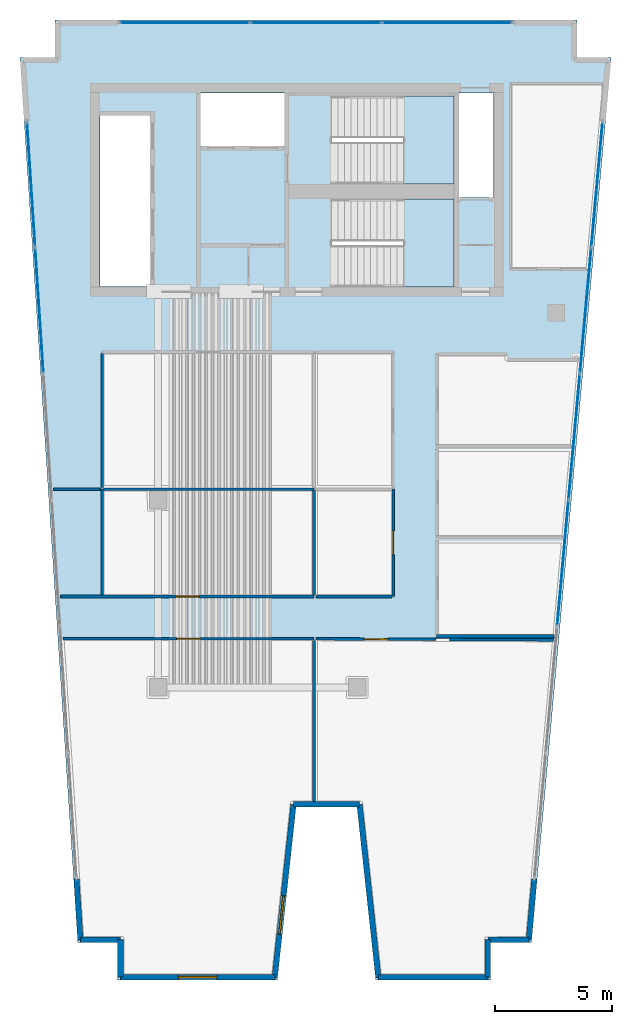
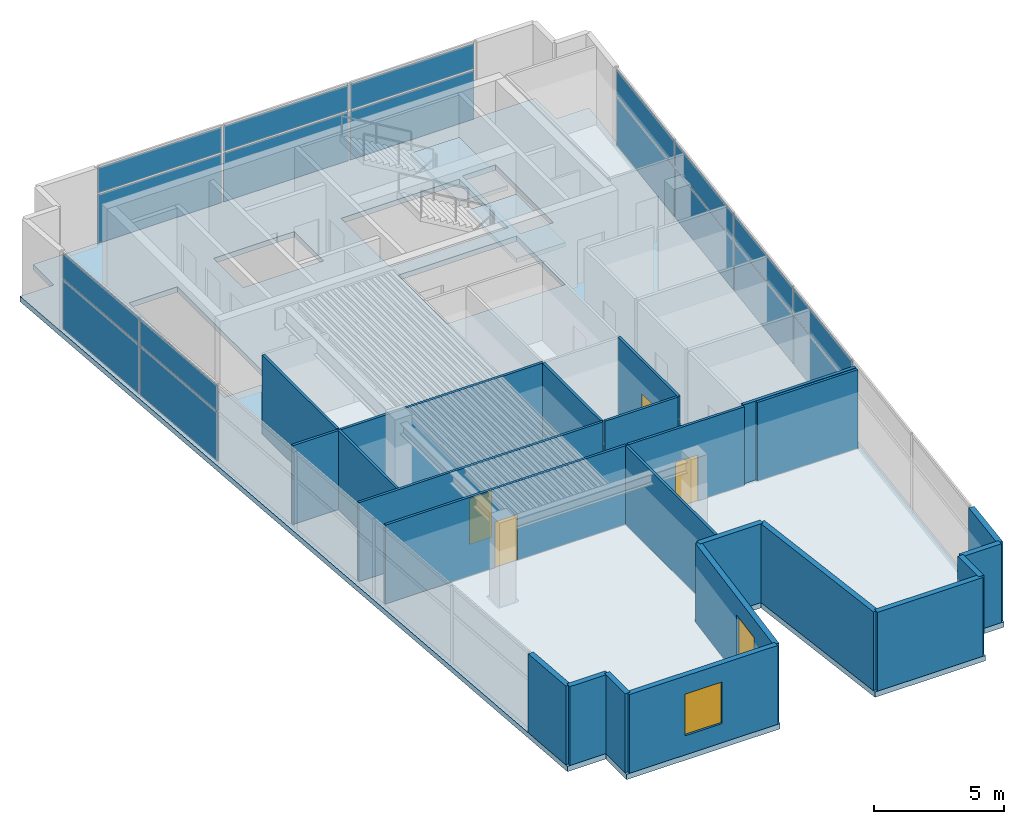
# One storey, part 3 of 7: 24 walls, 18 plates, 4 doors, 3 slabs, 2 windows, 6 openings, 5 elements without a shape of their own.
"""IFC4 building model written with IfcOpenShell, lengths in metres."""

from ifc_helpers import new_model, si_unit, direction, frame, frame_2d, origin, origin_2d, place, context, subcontext, project, spatial, polyline, rectangle, outline, extrude, material, layer, layer_set, type_object, element, fill, aggregate, save


model = new_model("IFC4")

# Units and contexts
model_context = context("Model", 3, precision=1e-05, world=origin(), true_north=direction((0.0, 1.0)))
body_context = subcontext(model_context, "Body", "Model", "MODEL_VIEW")
ifc_project = project(units=[si_unit("LENGTHUNIT", "METRE"), si_unit("AREAUNIT", "SQUARE_METRE"), si_unit("VOLUMEUNIT", "CUBIC_METRE"), si_unit("PLANEANGLEUNIT", "RADIAN"), si_unit("MASSUNIT", "GRAM", prefix="KILO")], contexts=[model_context])

# Site, building, storey
site_placement = place(None, origin())
site = spatial("IfcSite", under=ifc_project, at=site_placement, CompositionType="ELEMENT")
building_placement = place(site_placement, origin())
building = spatial("IfcBuilding", under=site, at=building_placement, Name="Caeloran Harvest Quay", CompositionType="ELEMENT")
storey_placement = place(building_placement, frame((0.0, 0.0, 315.949951171875)))
storey = spatial("IfcBuildingStorey", under=building, at=storey_placement, Name="L76", CompositionType="ELEMENT", Elevation=315.949951171875)

# Curtain wall, plates
ifc_material_1 = material(Name="Aluminium 6063-T6 and Low-E Glazing", Category="aluminium")
ifc_layer_1 = layer(ifc_material_1, 0.239990234375, Name="Aluminium 6063-T6 and Low-E Glazing")
ifc_layer_set_1 = layer_set([ifc_layer_1], Name="Aluminium 6063-T6 and Low-E Glazing")
curtain_wall_type = type_object("IfcCurtainWallType", Name="CW-SYS-CW-7", PredefinedType="USERDEFINED", material=ifc_layer_set_1)
curtain_wall_1_placement = place(storey_placement, origin())
curtain_wall_1 = element("IfcCurtainWall", 1, at=curtain_wall_1_placement, inside=storey, type_object=curtain_wall_type, Name="L76 Unitised Curtain Wall CW-7 Run 3", ObjectType="CURTAIN_WALL", PredefinedType="USERDEFINED")
ifc_material_2 = material(Name="Low-E Double Glazed Vision Glass Unit", Category="glass")
ifc_layer_2 = layer(ifc_material_2, 0.035888671875, Name="Low-E Double Glazed Vision Glass Unit")
ifc_layer_set_2 = layer_set([ifc_layer_2], Name="Low-E Double Glazed Vision Glass Unit")
plate_type = type_object("IfcPlateType", Name="CW-VISION-PANEL", PredefinedType="CURTAIN_PANEL", material=ifc_layer_set_2)
plate_1_placement = place(storey_placement, frame((3.430419921875, 31.0927734375, 0.080078125), z_axis=(0.0, 0.0, 1.0), x_axis=(-0.065166552901, 0.997874401106, 0.0)))
plate_1 = element("IfcPlate", 2, at=plate_1_placement, type_object=plate_type, Name="CW-7 panel 5.1", PredefinedType="CURTAIN_PANEL", context=body_context, shape_type="SweptSolid", body=[
    extrude(rectangle(XDim=5.32666015625, YDim=0.035888671875, at=origin_2d()), origin(), (0.0, 0.0, 1.0), 2.280029296875),
])
plate_2_placement = place(storey_placement, frame((3.430419921875, 31.0927734375, 2.43994140625), z_axis=(0.0, 0.0, 1.0), x_axis=(-0.065166552901, 0.997874401106, 0.0)))
plate_2 = element("IfcPlate", 3, at=plate_2_placement, type_object=plate_type, Name="CW-7 panel 5.2", PredefinedType="CURTAIN_PANEL", context=body_context, shape_type="SweptSolid", body=[
    extrude(rectangle(XDim=5.32666015625, YDim=0.035888671875, at=origin_2d()), origin(), (0.0, 0.0, 1.0), 1.179931640625),
])
plate_3_placement = place(storey_placement, frame((3.07958984375, 36.468017578125, 0.080078125), z_axis=(0.0, 0.0, 1.0), x_axis=(-0.065166552901, 0.997874401106, 0.0)))
plate_3 = element("IfcPlate", 4, at=plate_3_placement, type_object=plate_type, Name="CW-7 panel 6.1", PredefinedType="CURTAIN_PANEL", context=body_context, shape_type="SweptSolid", body=[
    extrude(rectangle(XDim=5.28662109375, YDim=0.035888671875, at=origin_2d()), origin(), (0.0, 0.0, 1.0), 2.280029296875),
])
plate_4_placement = place(storey_placement, frame((3.07958984375, 36.468017578125, 2.43994140625), z_axis=(0.0, 0.0, 1.0), x_axis=(-0.065166552901, 0.997874401106, 0.0)))
plate_4 = element("IfcPlate", 5, at=plate_4_placement, type_object=plate_type, Name="CW-7 panel 6.2", PredefinedType="CURTAIN_PANEL", context=body_context, shape_type="SweptSolid", body=[
    extrude(rectangle(XDim=5.28662109375, YDim=0.035888671875, at=origin_2d()), origin(), (0.0, 0.0, 1.0), 1.179931640625),
])
aggregate(curtain_wall_1, [plate_1, plate_2, plate_3, plate_4])

curtain_wall_2_placement = place(storey_placement, origin())
curtain_wall_2 = element("IfcCurtainWall", 6, at=curtain_wall_2_placement, inside=storey, type_object=curtain_wall_type, Name="L76 Unitised Curtain Wall CW-7 Run 6", ObjectType="CURTAIN_WALL", PredefinedType="USERDEFINED")
plate_5_placement = place(storey_placement, frame((9.64990234375, 43.3798828125, 0.080078125), z_axis=(0.0, 0.0, 1.0), x_axis=(1.0, 0.0, 0.0)))
plate_5 = element("IfcPlate", 7, at=plate_5_placement, type_object=plate_type, Name="CW-7 panel 1.1", PredefinedType="CURTAIN_PANEL", context=body_context, shape_type="SweptSolid", body=[
    extrude(rectangle(XDim=5.5, YDim=0.035888671875, at=origin_2d()), origin(), (0.0, 0.0, 1.0), 2.280029296875),
])
plate_6_placement = place(storey_placement, frame((9.64990234375, 43.3798828125, 2.43994140625), z_axis=(0.0, 0.0, 1.0), x_axis=(1.0, 0.0, 0.0)))
plate_6 = element("IfcPlate", 8, at=plate_6_placement, type_object=plate_type, Name="CW-7 panel 1.2", PredefinedType="CURTAIN_PANEL", context=body_context, shape_type="SweptSolid", body=[
    extrude(rectangle(XDim=5.5, YDim=0.035888671875, at=origin_2d()), origin(), (0.0, 0.0, 1.0), 1.179931640625),
])
plate_7_placement = place(storey_placement, frame((15.25, 43.3798828125, 0.080078125), z_axis=(0.0, 0.0, 1.0), x_axis=(1.0, 0.0, 0.0)))
plate_7 = element("IfcPlate", 9, at=plate_7_placement, type_object=plate_type, Name="CW-7 panel 2.1", PredefinedType="CURTAIN_PANEL", context=body_context, shape_type="SweptSolid", body=[
    extrude(rectangle(XDim=5.5400390625, YDim=0.035888671875, at=origin_2d()), origin(), (0.0, 0.0, 1.0), 2.280029296875),
])
plate_8_placement = place(storey_placement, frame((15.25, 43.3798828125, 2.43994140625), z_axis=(0.0, 0.0, 1.0), x_axis=(1.0, 0.0, 0.0)))
plate_8 = element("IfcPlate", 10, at=plate_8_placement, type_object=plate_type, Name="CW-7 panel 2.2", PredefinedType="CURTAIN_PANEL", context=body_context, shape_type="SweptSolid", body=[
    extrude(rectangle(XDim=5.5400390625, YDim=0.035888671875, at=origin_2d()), origin(), (0.0, 0.0, 1.0), 1.179931640625),
])
plate_9_placement = place(storey_placement, frame((20.85009765625, 43.3798828125, 0.080078125), z_axis=(0.0, 0.0, 1.0), x_axis=(1.0, 0.0, 0.0)))
plate_9 = element("IfcPlate", 11, at=plate_9_placement, type_object=plate_type, Name="CW-7 panel 3.1", PredefinedType="CURTAIN_PANEL", context=body_context, shape_type="SweptSolid", body=[
    extrude(rectangle(XDim=5.5, YDim=0.035888671875, at=origin_2d()), origin(), (0.0, 0.0, 1.0), 2.280029296875),
])
plate_10_placement = place(storey_placement, frame((20.85009765625, 43.3798828125, 2.43994140625), z_axis=(0.0, 0.0, 1.0), x_axis=(1.0, 0.0, 0.0)))
plate_10 = element("IfcPlate", 12, at=plate_10_placement, type_object=plate_type, Name="CW-7 panel 3.2", PredefinedType="CURTAIN_PANEL", context=body_context, shape_type="SweptSolid", body=[
    extrude(rectangle(XDim=5.5, YDim=0.035888671875, at=origin_2d()), origin(), (0.0, 0.0, 1.0), 1.179931640625),
])
aggregate(curtain_wall_2, [plate_5, plate_6, plate_7, plate_8, plate_9, plate_10])

curtain_wall_3_placement = place(storey_placement, origin())
curtain_wall_3 = element("IfcCurtainWall", 13, at=curtain_wall_3_placement, inside=storey, type_object=curtain_wall_type, Name="L76 Unitised Curtain Wall CW-7 Run 9", ObjectType="CURTAIN_WALL", PredefinedType="USERDEFINED")
plate_11_placement = place(storey_placement, frame((27.245849609375, 36.47216796875, 0.080078125), z_axis=(0.0, 0.0, 1.0), x_axis=(-0.089821065146, -0.995957918918, 0.0)))
plate_11 = element("IfcPlate", 14, at=plate_11_placement, type_object=plate_type, Name="CW-7 panel 1.1", PredefinedType="CURTAIN_PANEL", context=body_context, shape_type="SweptSolid", body=[
    extrude(rectangle(XDim=5.298828125, YDim=0.035888671875, at=origin_2d()), origin(), (0.0, 0.0, 1.0), 2.280029296875),
])
plate_12_placement = place(storey_placement, frame((27.245849609375, 36.47216796875, 2.43994140625), z_axis=(0.0, 0.0, 1.0), x_axis=(-0.089821065146, -0.995957918918, 0.0)))
plate_12 = element("IfcPlate", 15, at=plate_12_placement, type_object=plate_type, Name="CW-7 panel 1.2", PredefinedType="CURTAIN_PANEL", context=body_context, shape_type="SweptSolid", body=[
    extrude(rectangle(XDim=5.298828125, YDim=0.035888671875, at=origin_2d()), origin(), (0.0, 0.0, 1.0), 1.179931640625),
])
plate_13_placement = place(storey_placement, frame((26.7607421875, 31.09521484375, 0.080078125), z_axis=(0.0, 0.0, 1.0), x_axis=(-0.089821065146, -0.995957918918, 0.0)))
plate_13 = element("IfcPlate", 16, at=plate_13_placement, type_object=plate_type, Name="CW-7 panel 2.1", PredefinedType="CURTAIN_PANEL", context=body_context, shape_type="SweptSolid", body=[
    extrude(rectangle(XDim=5.338623046875, YDim=0.035888671875, at=origin_2d()), origin(), (0.0, 0.0, 1.0), 2.280029296875),
])
plate_14_placement = place(storey_placement, frame((26.7607421875, 31.09521484375, 2.43994140625), z_axis=(0.0, 0.0, 1.0), x_axis=(-0.089821065146, -0.995957918918, 0.0)))
plate_14 = element("IfcPlate", 17, at=plate_14_placement, type_object=plate_type, Name="CW-7 panel 2.2", PredefinedType="CURTAIN_PANEL", context=body_context, shape_type="SweptSolid", body=[
    extrude(rectangle(XDim=5.338623046875, YDim=0.035888671875, at=origin_2d()), origin(), (0.0, 0.0, 1.0), 1.179931640625),
])
plate_15_placement = place(storey_placement, frame((26.274169921875, 25.698486328125, 0.080078125), z_axis=(0.0, 0.0, 1.0), x_axis=(-0.089821065146, -0.995957918918, 0.0)))
plate_15 = element("IfcPlate", 18, at=plate_15_placement, type_object=plate_type, Name="CW-7 panel 3.1", PredefinedType="CURTAIN_PANEL", context=body_context, shape_type="SweptSolid", body=[
    extrude(rectangle(XDim=5.338623046875, YDim=0.035888671875, at=origin_2d()), origin(), (0.0, 0.0, 1.0), 2.280029296875),
])
plate_16_placement = place(storey_placement, frame((26.274169921875, 25.698486328125, 2.43994140625), z_axis=(0.0, 0.0, 1.0), x_axis=(-0.089821065146, -0.995957918918, 0.0)))
plate_16 = element("IfcPlate", 19, at=plate_16_placement, type_object=plate_type, Name="CW-7 panel 3.2", PredefinedType="CURTAIN_PANEL", context=body_context, shape_type="SweptSolid", body=[
    extrude(rectangle(XDim=5.338623046875, YDim=0.035888671875, at=origin_2d()), origin(), (0.0, 0.0, 1.0), 1.179931640625),
])
plate_17_placement = place(storey_placement, frame((25.787353515625, 20.301513671875, 0.080078125), z_axis=(0.0, 0.0, 1.0), x_axis=(-0.089821065146, -0.995957918918, 0.0)))
plate_17 = element("IfcPlate", 20, at=plate_17_placement, type_object=plate_type, Name="CW-7 panel 4.1", PredefinedType="CURTAIN_PANEL", context=body_context, shape_type="SweptSolid", body=[
    extrude(rectangle(XDim=5.338623046875, YDim=0.035888671875, at=origin_2d()), origin(), (0.0, 0.0, 1.0), 2.280029296875),
])
plate_18_placement = place(storey_placement, frame((25.787353515625, 20.301513671875, 2.43994140625), z_axis=(0.0, 0.0, 1.0), x_axis=(-0.089821065146, -0.995957918918, 0.0)))
plate_18 = element("IfcPlate", 21, at=plate_18_placement, type_object=plate_type, Name="CW-7 panel 4.2", PredefinedType="CURTAIN_PANEL", context=body_context, shape_type="SweptSolid", body=[
    extrude(rectangle(XDim=5.338623046875, YDim=0.035888671875, at=origin_2d()), origin(), (0.0, 0.0, 1.0), 1.179931640625),
])
aggregate(curtain_wall_3, [plate_11, plate_12, plate_13, plate_14, plate_15, plate_16, plate_17, plate_18])

# Slab
ifc_material_3 = material(Name="Concrete C50/60", Category="concrete")
ifc_layer_3 = layer(ifc_material_3, 0.25, Name="Concrete C50/60")
ifc_layer_set_3 = layer_set([ifc_layer_3], Name="Concrete C50/60")
slab_type_1 = type_object("IfcSlabType", Name="SLAB-FS-250", PredefinedType="FLOOR", material=ifc_layer_set_3)
slab_1_placement = place(storey_placement, frame((0.0, 0.0, -0.25)))
element("IfcSlab", 22, at=slab_1_placement, inside=storey, type_object=slab_type_1, Name="L76 Structural Floor Slab", PredefinedType="FLOOR", context=body_context, shape_type="SweptSolid", body=[
    extrude(outline(polyline([(6.777587890625, 2.5), (13.592529296875, 2.5), (14.392578125, 9.8798828125), (17.0, 9.8798828125), (17.800048828125, 2.5), (22.702392578125, 2.5), (22.702392578125, 4.10009765625), (24.44677734375, 4.10009765625), (27.855712890625, 41.89990234375), (26.39990234375, 41.89990234375), (26.39990234375, 43.5), (4.10009765625, 43.5), (4.10009765625, 41.89990234375), (2.6044921875, 41.89990234375), (5.072998046875, 4.10009765625), (6.777587890625, 4.10009765625), (6.777587890625, 2.5)]), holes=[polyline([(21.14990234375, 32.10009765625), (15.89990234375, 32.10009765625), (15.89990234375, 35.85009765625), (21.14990234375, 35.85009765625), (21.14990234375, 32.10009765625)]), polyline([(8.159912109375, 39.419921875), (8.159912109375, 32.1201171875), (6.02001953125, 32.1201171875), (6.02001953125, 39.419921875), (8.159912109375, 39.419921875)]), polyline([(22.830078125, 40.3798828125), (22.830078125, 35.919921875), (21.35009765625, 35.919921875), (21.35009765625, 40.3798828125), (22.830078125, 40.3798828125)]), polyline([(15.89990234375, 36.5), (15.89990234375, 40.25), (21.14990234375, 40.25), (21.14990234375, 36.5), (15.89990234375, 36.5)]), polyline([(13.89990234375, 38.1201171875), (10.320068359375, 38.1201171875), (10.320068359375, 40.3798828125), (13.89990234375, 40.3798828125), (13.89990234375, 38.1201171875)])]), origin(), (0.0, 0.0, 1.0), 0.25),
])

# Stair, slab
stair_type = type_object("IfcStairType", Name="STAIR-STC-180", PredefinedType="HALF_TURN_STAIR", material=ifc_material_3)
stair_1_placement = place(storey_placement, origin())
stair_1 = element("IfcStair", 23, at=stair_1_placement, inside=storey, type_object=stair_type, Name="L76 Core Pressurized Exit Stair ST-C1", PredefinedType="HALF_TURN_STAIR")
ifc_layer_4 = layer(ifc_material_3, 0.219970703125, Name="Concrete C50/60")
ifc_layer_set_4 = layer_set([ifc_layer_4], Name="Concrete C50/60")
slab_type_2 = type_object("IfcSlabType", Name="STAIR-LANDING-220", PredefinedType="LANDING", material=ifc_layer_set_4)
slab_2_placement = place(storey_placement, frame((0.0, 0.0, 1.775146484375)))
slab_2 = element("IfcSlab", 24, at=slab_2_placement, type_object=slab_type_2, Name="ST-C1 landing 1", PredefinedType="LANDING", context=body_context, shape_type="SweptSolid", body=[
    extrude(outline(polyline([(18.97998046875, 36.5), (21.14990234375, 36.5), (21.14990234375, 40.25), (18.97998046875, 40.25), (18.97998046875, 36.5)])), origin(), (0.0, 0.0, 1.0), 0.199951171875),
])
aggregate(stair_1, [slab_2])

stair_2_placement = place(storey_placement, origin())
stair_2 = element("IfcStair", 25, at=stair_2_placement, inside=storey, type_object=stair_type, Name="L76 Core Pressurized Exit Stair ST-C2", PredefinedType="HALF_TURN_STAIR")
slab_3_placement = place(storey_placement, frame((0.0, 0.0, 1.775146484375)))
slab_3 = element("IfcSlab", 26, at=slab_3_placement, type_object=slab_type_2, Name="ST-C2 landing 1", PredefinedType="LANDING", context=body_context, shape_type="SweptSolid", body=[
    extrude(outline(polyline([(18.97998046875, 32.10009765625), (21.14990234375, 32.10009765625), (21.14990234375, 35.85009765625), (18.97998046875, 35.85009765625), (18.97998046875, 32.10009765625)])), origin(), (0.0, 0.0, 1.0), 0.199951171875),
])
aggregate(stair_2, [slab_3])

# Walls
ifc_material_4 = material(Name="Precast concrete C50/60", Category="concrete")
ifc_layer_5 = layer(ifc_material_4, 0.239990234375, Name="Precast concrete C50/60")
ifc_layer_set_5 = layer_set([ifc_layer_5], Name="Precast concrete C50/60")
wall_type_1 = type_object("IfcWallType", Name="ENV-WALL-EW-240", PredefinedType="STANDARD", material=ifc_layer_set_5)
wall_1_placement = place(storey_placement, frame((6.8974609375, 2.6201171875, 0.0), z_axis=(0.0, 0.0, 1.0), x_axis=(0.0, 1.0, 0.0)))
element("IfcWall", 27, at=wall_1_placement, inside=storey, type_object=wall_type_1, Name="L76 Exterior Precast Concrete Facade Wall 1", PredefinedType="STANDARD", context=body_context, shape_type="SweptSolid", body=[
    extrude(rectangle(XDim=1.599853515625, YDim=0.239990234375, at=frame_2d((0.7998046875, 0.0))), origin(), (0.0, 0.0, 1.0), 3.699951171875),
])
wall_2_placement = place(storey_placement, frame((6.8974609375, 4.219970703125, 0.0), z_axis=(0.0, 0.0, 1.0), x_axis=(-1.0, 0.0, 0.0)))
element("IfcWall", 28, at=wall_2_placement, inside=storey, type_object=wall_type_1, Name="L76 Exterior Precast Concrete Facade Wall 2", PredefinedType="STANDARD", context=body_context, shape_type="SweptSolid", body=[
    extrude(rectangle(XDim=1.712158203125, YDim=0.239990234375, at=frame_2d((0.85595703125, 0.0))), origin(), (0.0, 0.0, 1.0), 3.699951171875),
])
for number, where, z_axis, x_axis, name in (
    (29, (5.185302734375, 4.219970703125, 0.0), (0.0, 0.0, 1.0), (-0.065073039336, 0.997880503643, 0.0), "L76 Exterior Facade Corner Pier Wall 3A"),
    (30, (24.570556640625, 6.8095703125, 0.0), (0.0, 0.0, 1.0), (-0.089765303723, -0.995962946222, 0.0), "L76 Exterior Facade Corner Pier Wall 9B"),
):
    element("IfcWall", number, at=place(storey_placement, frame(where, z_axis=z_axis, x_axis=x_axis)), inside=storey, type_object=wall_type_1, Name=name, PredefinedType="STANDARD", context=body_context, shape_type="SweptSolid", body=[
        extrude(rectangle(XDim=2.60009765625, YDim=0.239990234375, at=frame_2d((1.300048828125, 0.0))), origin(), (0.0, 0.0, 1.0), 3.699951171875),
    ])
wall_3_placement = place(storey_placement, frame((24.337158203125, 4.219970703125, 0.0), z_axis=(0.0, 0.0, 1.0), x_axis=(-1.0, 0.0, 0.0)))
element("IfcWall", 31, at=wall_3_placement, inside=storey, type_object=wall_type_1, Name="L76 Exterior Precast Concrete Facade Wall 10", PredefinedType="STANDARD", context=body_context, shape_type="SweptSolid", body=[
    extrude(rectangle(XDim=1.754638671875, YDim=0.239990234375, at=frame_2d((0.87744140625, 0.0))), origin(), (0.0, 0.0, 1.0), 3.699951171875),
])
wall_4_placement = place(storey_placement, frame((22.58251953125, 4.219970703125, 0.0), z_axis=(0.0, 0.0, 1.0), x_axis=(0.0, -1.0, 0.0)))
element("IfcWall", 32, at=wall_4_placement, inside=storey, type_object=wall_type_1, Name="L76 Exterior Precast Concrete Facade Wall 11", PredefinedType="STANDARD", context=body_context, shape_type="SweptSolid", body=[
    extrude(rectangle(XDim=1.599853515625, YDim=0.239990234375, at=frame_2d((0.7998046875, 0.0))), origin(), (0.0, 0.0, 1.0), 3.699951171875),
])
wall_5_placement = place(storey_placement, frame((22.58251953125, 2.6201171875, 0.0), z_axis=(0.0, 0.0, 1.0), x_axis=(-1.0, 0.0, 0.0)))
element("IfcWall", 33, at=wall_5_placement, inside=storey, type_object=wall_type_1, Name="L76 Exterior Precast Concrete Facade Wall 12", PredefinedType="STANDARD", context=body_context, shape_type="SweptSolid", body=[
    extrude(rectangle(XDim=4.6748046875, YDim=0.239990234375, at=frame_2d((2.33740234375, 0.0))), origin(), (0.0, 0.0, 1.0), 3.699951171875),
])
wall_6_placement = place(storey_placement, frame((17.90771484375, 2.6201171875, 0.0), z_axis=(0.0, 0.0, 1.0), x_axis=(-0.107777936076, 0.994174992894, 0.0)))
element("IfcWall", 34, at=wall_6_placement, inside=storey, type_object=wall_type_1, Name="L76 Exterior Precast Concrete Facade Wall 13", PredefinedType="STANDARD", context=body_context, shape_type="SweptSolid", body=[
    extrude(rectangle(XDim=7.423095703125, YDim=0.239990234375, at=frame_2d((3.71142578125, 0.0))), origin(), (0.0, 0.0, 1.0), 3.699951171875),
])
wall_7_placement = place(storey_placement, frame((17.107666015625, 10.0, 0.0), z_axis=(0.0, 0.0, 1.0), x_axis=(-1.0, 0.0, 0.0)))
element("IfcWall", 35, at=wall_7_placement, inside=storey, type_object=wall_type_1, Name="L76 Exterior Precast Concrete Facade Wall 14", PredefinedType="STANDARD", context=body_context, shape_type="SweptSolid", body=[
    extrude(rectangle(XDim=2.82275390625, YDim=0.239990234375, at=frame_2d((1.411376953125, 0.0))), origin(), (0.0, 0.0, 1.0), 3.699951171875),
])

# Wall, opening, window
wall_8_placement = place(storey_placement, frame((14.284912109375, 10.0, 0.0), z_axis=(0.0, 0.0, 1.0), x_axis=(-0.107777936076, -0.994174992894, 0.0)))
wall_8 = element("IfcWall", 36, at=wall_8_placement, inside=storey, type_object=wall_type_1, Name="L76 Exterior Precast Concrete Facade Wall 15", PredefinedType="STANDARD", context=body_context, shape_type="SweptSolid", body=[
    extrude(rectangle(XDim=7.423095703125, YDim=0.239990234375, at=frame_2d((3.71142578125, 0.0))), origin(), (0.0, 0.0, 1.0), 3.699951171875),
])
opening_1_placement = place(wall_8_placement, frame((3.926025390625, 0.0, 0.89990234375)))
opening_1 = element("IfcOpeningElement", 37, at=opening_1_placement, cuts=wall_8, Name="Opening W-08", PredefinedType="OPENING", context=body_context, shape_type="SweptSolid", body=[
    extrude(rectangle(XDim=1.64990234375, YDim=1.949951171875, at=frame_2d((0.824951171875, 0.97509765625))), frame((0.0, 0.1298828125, 0.0), z_axis=(0.0, -1.0, 0.0), x_axis=(1.0, 0.0, 0.0)), (0.0, 0.0, 1.0), 0.260009765625),
])
ifc_material_5 = material(Name="Aluminium-Framed Low-E Laminated Glass", Category="aluminium")
window_type = type_object("IfcWindowType", Name="WIN-W-08", PartitioningType="SINGLE_PANEL", PredefinedType="WINDOW", material=ifc_material_5)
window_1_placement = place(opening_1_placement, origin())
window_1 = element("IfcWindow", 38, at=window_1_placement, inside=storey, type_object=window_type, Name="L76 Facade Punched Window W-08", OverallHeight=1.949951171875, OverallWidth=1.64990234375, PartitioningType="SINGLE_PANEL", PredefinedType="WINDOW", context=body_context, shape_type="SweptSolid", body=[
    extrude(rectangle(XDim=1.64990234375, YDim=1.949951171875, at=frame_2d((0.824951171875, 0.97509765625))), frame((0.0, 0.030029296875, 0.0), z_axis=(0.0, -1.0, 0.0), x_axis=(1.0, 0.0, 0.0)), (0.0, 0.0, 1.0), 0.06005859375),
])
fill(opening_1, window_1)

wall_9_placement = place(storey_placement, frame((13.48486328125, 2.6201171875, 0.0), z_axis=(0.0, 0.0, 1.0), x_axis=(-1.0, 0.0, 0.0)))
wall_9 = element("IfcWall", 39, at=wall_9_placement, inside=storey, type_object=wall_type_1, Name="L76 Exterior Precast Concrete Facade Wall 16", PredefinedType="STANDARD", context=body_context, shape_type="SweptSolid", body=[
    extrude(rectangle(XDim=6.58740234375, YDim=0.239990234375, at=frame_2d((3.293701171875, 0.0))), origin(), (0.0, 0.0, 1.0), 3.699951171875),
])
opening_2_placement = place(wall_9_placement, frame((2.468994140625, 0.0, 0.89990234375)))
opening_2 = element("IfcOpeningElement", 40, at=opening_2_placement, cuts=wall_9, Name="Opening W-08", PredefinedType="OPENING", context=body_context, shape_type="SweptSolid", body=[
    extrude(rectangle(XDim=1.64990234375, YDim=1.949951171875, at=frame_2d((0.824951171875, 0.97509765625))), frame((0.0, 0.1298828125, 0.0), z_axis=(0.0, -1.0, 0.0), x_axis=(1.0, 0.0, 0.0)), (0.0, 0.0, 1.0), 0.260009765625),
])
window_2_placement = place(opening_2_placement, origin())
window_2 = element("IfcWindow", 41, at=window_2_placement, inside=storey, type_object=window_type, Name="L76 Facade Punched Window W-08", OverallHeight=1.949951171875, OverallWidth=1.64990234375, PartitioningType="SINGLE_PANEL", PredefinedType="WINDOW", context=body_context, shape_type="SweptSolid", body=[
    extrude(rectangle(XDim=1.64990234375, YDim=1.949951171875, at=frame_2d((0.824951171875, 0.97509765625))), frame((0.0, 0.030029296875, 0.0), z_axis=(0.0, -1.0, 0.0), x_axis=(1.0, 0.0, 0.0)), (0.0, 0.0, 1.0), 0.06005859375),
])
fill(opening_2, window_2)

# Wall, opening, door
ifc_material_6 = material(Name="Single-Stud Acoustic Gypsum Office Partition", Category="gypsum")
ifc_layer_6 = layer(ifc_material_6, 0.112060546875, Name="Single-Stud Acoustic Gypsum Office Partition")
ifc_layer_set_6 = layer_set([ifc_layer_6], Name="Single-Stud Acoustic Gypsum Office Partition")
wall_type_2 = type_object("IfcWallType", Name="INT-WALL-PW-112", PredefinedType="PARTITIONING", material=ifc_layer_set_6)
wall_10_placement = place(storey_placement, frame((4.451416015625, 17.070068359375, 0.0), z_axis=(0.0, 0.0, 1.0), x_axis=(1.0, 0.0, 0.0)))
wall_10 = element("IfcWall", 42, at=wall_10_placement, inside=storey, type_object=wall_type_2, Name="Pinnacle Botanical Observatory Studio Partition Wall", PredefinedType="PARTITIONING", context=body_context, shape_type="SweptSolid", body=[
    extrude(rectangle(XDim=10.70849609375, YDim=0.112060546875, at=frame_2d((5.354248046875, 0.0))), origin(), (0.0, 0.0, 1.0), 3.699951171875),
])
opening_3_placement = place(wall_10_placement, frame((4.854248046875, 0.0, 0.0)))
opening_3 = element("IfcOpeningElement", 43, at=opening_3_placement, cuts=wall_10, Name="Opening ID-01", PredefinedType="OPENING", context=body_context, shape_type="SweptSolid", body=[
    extrude(rectangle(XDim=1.0, YDim=2.14990234375, at=frame_2d((0.5, 1.074951171875))), frame((0.0, 0.06591796875, 0.0), z_axis=(0.0, -1.0, 0.0), x_axis=(1.0, 0.0, 0.0)), (0.0, 0.0, 1.0), 0.132080078125),
])
ifc_material_7 = material(Name="FSC Solid-Core Ash Timber and Acoustic Seal", Category="wood")
door_type = type_object("IfcDoorType", Name="INTDOOR-ID-01", OperationType="NOTDEFINED", PredefinedType="DOOR", material=ifc_material_7)
door_1_placement = place(opening_3_placement, origin())
door_1 = element("IfcDoor", 44, at=door_1_placement, inside=storey, type_object=door_type, Name="Pinnacle Botanical Observatory Studio Access Door", OperationType="SINGLE_SWING_RIGHT", OverallHeight=2.14990234375, OverallWidth=1.0, PredefinedType="DOOR", context=body_context, shape_type="SweptSolid", body=[
    extrude(rectangle(XDim=1.0, YDim=2.14990234375, at=frame_2d((0.5, 1.074951171875))), frame((0.0, 0.02490234375, 0.0), z_axis=(0.0, -1.0, 0.0), x_axis=(1.0, 0.0, 0.0)), (0.0, 0.0, 1.0), 0.050048828125),
])
fill(opening_3, door_1)

# Walls
wall_11_placement = place(storey_placement, frame((15.159912109375, 17.009033203125, 0.0), z_axis=(0.0, 0.0, 1.0), x_axis=(0.0, -1.0, 0.0)))
element("IfcWall", 45, at=wall_11_placement, inside=storey, type_object=wall_type_2, Name="Pinnacle Botanical Observatory Studio Partition Wall", PredefinedType="PARTITIONING", context=body_context, shape_type="SweptSolid", body=[
    extrude(rectangle(XDim=6.884033203125, YDim=0.112060546875, at=frame_2d((3.44189453125, 0.0))), origin(), (0.0, 0.0, 1.0), 3.699951171875),
])
wall_12_placement = place(storey_placement, frame((20.947021484375, 17.0419921875, 0.0), z_axis=(0.0, 0.0, 1.0), x_axis=(0.999988019942, -0.004894892409, 0.0)))
element("IfcWall", 46, at=wall_12_placement, inside=storey, type_object=wall_type_2, Name="Diplomatic Conference Hall Partition Wall", PredefinedType="PARTITIONING", context=body_context, shape_type="SweptSolid", body=[
    extrude(rectangle(XDim=4.43896484375, YDim=0.112060546875, at=frame_2d((2.219482421875, 0.0))), origin(), (0.0, 0.0, 1.0), 3.699951171875),
])

# Wall, opening, door
wall_13_placement = place(storey_placement, frame((15.239990234375, 17.070068359375, 0.0), z_axis=(0.0, 0.0, 1.0), x_axis=(0.999988036902, -0.0048914265, 0.0)))
wall_13 = element("IfcWall", 47, at=wall_13_placement, inside=storey, type_object=wall_type_2, Name="Diplomatic Conference Hall Partition Wall", PredefinedType="PARTITIONING", context=body_context, shape_type="SweptSolid", body=[
    extrude(rectangle(XDim=5.140869140625, YDim=0.112060546875, at=frame_2d((2.5703125, 0.0))), origin(), (0.0, 0.0, 1.0), 3.699951171875),
])
opening_4_placement = place(wall_13_placement, frame((2.070556640625, 0.0, 0.0)))
opening_4 = element("IfcOpeningElement", 48, at=opening_4_placement, cuts=wall_13, Name="Opening ID-01", PredefinedType="OPENING", context=body_context, shape_type="SweptSolid", body=[
    extrude(rectangle(XDim=1.0, YDim=2.14990234375, at=frame_2d((0.5, 1.074951171875))), frame((0.0, 0.06591796875, 0.0), z_axis=(0.0, -1.0, 0.0), x_axis=(1.0, 0.0, 0.0)), (0.0, 0.0, 1.0), 0.132080078125),
])
door_2_placement = place(opening_4_placement, origin())
door_2 = element("IfcDoor", 49, at=door_2_placement, inside=storey, type_object=door_type, Name="Diplomatic Conference Hall Access Door", OperationType="SINGLE_SWING_LEFT", OverallHeight=2.14990234375, OverallWidth=1.0, PredefinedType="DOOR", context=body_context, shape_type="SweptSolid", body=[
    extrude(rectangle(XDim=1.0, YDim=2.14990234375, at=frame_2d((0.5, 1.074951171875))), frame((0.0, 0.02490234375, 0.0), z_axis=(0.0, -1.0, 0.0), x_axis=(1.0, 0.0, 0.0)), (0.0, 0.0, 1.0), 0.050048828125),
])
fill(opening_4, door_2)

wall_14_placement = place(storey_placement, frame((15.159912109375, 18.8798828125, 0.0), z_axis=(0.0, 0.0, 1.0), x_axis=(-1.0, 0.0, 0.0)))
wall_14 = element("IfcWall", 50, at=wall_14_placement, inside=storey, type_object=wall_type_2, Name="Private Family Meeting Room Partition Wall", PredefinedType="PARTITIONING", context=body_context, shape_type="SweptSolid", body=[
    extrude(rectangle(XDim=10.82666015625, YDim=0.112060546875, at=frame_2d((5.413330078125, 0.0))), origin(), (0.0, 0.0, 1.0), 3.699951171875),
])
opening_5_placement = place(wall_14_placement, frame((4.913330078125, 0.0, 0.0)))
opening_5 = element("IfcOpeningElement", 51, at=opening_5_placement, cuts=wall_14, Name="Opening ID-01", PredefinedType="OPENING", context=body_context, shape_type="SweptSolid", body=[
    extrude(rectangle(XDim=1.0, YDim=2.14990234375, at=frame_2d((0.5, 1.074951171875))), frame((0.0, 0.06591796875, 0.0), z_axis=(0.0, -1.0, 0.0), x_axis=(1.0, 0.0, 0.0)), (0.0, 0.0, 1.0), 0.132080078125),
])
door_3_placement = place(opening_5_placement, origin())
door_3 = element("IfcDoor", 52, at=door_3_placement, inside=storey, type_object=door_type, Name="Private Family Meeting Room Access Door", OperationType="SINGLE_SWING_RIGHT", OverallHeight=2.14990234375, OverallWidth=1.0, PredefinedType="DOOR", context=body_context, shape_type="SweptSolid", body=[
    extrude(rectangle(XDim=1.0, YDim=2.14990234375, at=frame_2d((0.5, 1.074951171875))), frame((0.0, 0.02490234375, 0.0), z_axis=(0.0, -1.0, 0.0), x_axis=(1.0, 0.0, 0.0)), (0.0, 0.0, 1.0), 0.050048828125),
])
fill(opening_5, door_3)

# Walls
wall_15_placement = place(storey_placement, frame((6.110107421875, 18.94091796875, 0.0), z_axis=(0.0, 0.0, 1.0), x_axis=(0.0, 1.0, 0.0)))
element("IfcWall", 53, at=wall_15_placement, inside=storey, type_object=wall_type_2, Name="Private Family Meeting Room Partition Wall", PredefinedType="PARTITIONING", context=body_context, shape_type="SweptSolid", body=[
    extrude(rectangle(XDim=4.51904296875, YDim=0.112060546875, at=frame_2d((2.259521484375, 0.0))), origin(), (0.0, 0.0, 1.0), 3.699951171875),
])
wall_16_placement = place(storey_placement, frame((4.0341796875, 23.4599609375, 0.0), z_axis=(0.0, 0.0, 1.0), x_axis=(1.0, 0.0, 0.0)))
element("IfcWall", 54, at=wall_16_placement, inside=storey, type_object=wall_type_2, Name="Private Family Meeting Room Partition Wall", PredefinedType="PARTITIONING", context=body_context, shape_type="SweptSolid", body=[
    extrude(rectangle(XDim=2.014892578125, YDim=0.112060546875, at=frame_2d((1.00732421875, 0.0))), origin(), (0.0, 0.0, 1.0), 3.699951171875),
])
wall_17_placement = place(storey_placement, frame((6.1708984375, 23.4599609375, 0.0), z_axis=(0.0, 0.0, 1.0), x_axis=(1.0, 0.0, 0.0)))
element("IfcWall", 55, at=wall_17_placement, inside=storey, type_object=wall_type_2, Name="Private Family Meeting Room Partition Wall", PredefinedType="PARTITIONING", context=body_context, shape_type="SweptSolid", body=[
    extrude(rectangle(XDim=8.989013671875, YDim=0.112060546875, at=frame_2d((4.49462890625, 0.0))), origin(), (0.0, 0.0, 1.0), 3.699951171875),
])
wall_18_placement = place(storey_placement, frame((15.159912109375, 23.39892578125, 0.0), z_axis=(0.0, 0.0, 1.0), x_axis=(0.0, -1.0, 0.0)))
element("IfcWall", 56, at=wall_18_placement, inside=storey, type_object=wall_type_2, Name="Private Family Meeting Room Partition Wall", PredefinedType="PARTITIONING", context=body_context, shape_type="SweptSolid", body=[
    extrude(rectangle(XDim=4.4580078125, YDim=0.112060546875, at=frame_2d((2.22900390625, 0.0))), origin(), (0.0, 0.0, 1.0), 3.699951171875),
])

# Wall, opening, door
wall_19_placement = place(storey_placement, frame((18.550048828125, 23.4599609375, 0.0), z_axis=(0.0, 0.0, 1.0), x_axis=(0.0, -1.0, 0.0)))
wall_19 = element("IfcWall", 57, at=wall_19_placement, inside=storey, type_object=wall_type_2, Name="Pinnacle Tasting Salon Lounge Partition Wall", PredefinedType="PARTITIONING", context=body_context, shape_type="SweptSolid", body=[
    extrude(rectangle(XDim=4.580078125, YDim=0.112060546875, at=frame_2d((2.2900390625, 0.0))), origin(), (0.0, 0.0, 1.0), 3.699951171875),
])
opening_6_placement = place(wall_19_placement, frame((1.7900390625, 0.0, 0.0)))
opening_6 = element("IfcOpeningElement", 58, at=opening_6_placement, cuts=wall_19, Name="Opening ID-01", PredefinedType="OPENING", context=body_context, shape_type="SweptSolid", body=[
    extrude(rectangle(XDim=1.0, YDim=2.14990234375, at=frame_2d((0.5, 1.074951171875))), frame((0.0, 0.06591796875, 0.0), z_axis=(0.0, -1.0, 0.0), x_axis=(1.0, 0.0, 0.0)), (0.0, 0.0, 1.0), 0.132080078125),
])
door_4_placement = place(opening_6_placement, origin())
door_4 = element("IfcDoor", 59, at=door_4_placement, inside=storey, type_object=door_type, Name="Pinnacle Tasting Salon Lounge Access Door", OperationType="SINGLE_SWING_LEFT", OverallHeight=2.14990234375, OverallWidth=1.0, PredefinedType="DOOR", context=body_context, shape_type="SweptSolid", body=[
    extrude(rectangle(XDim=1.0, YDim=2.14990234375, at=frame_2d((0.5, 1.074951171875))), frame((0.0, 0.02490234375, 0.0), z_axis=(0.0, -1.0, 0.0), x_axis=(1.0, 0.0, 0.0)), (0.0, 0.0, 1.0), 0.050048828125),
])
fill(opening_6, door_4)

# Walls
wall_20_placement = place(storey_placement, frame((18.489013671875, 18.8798828125, 0.0), z_axis=(0.0, 0.0, 1.0), x_axis=(-1.0, 0.0, 0.0)))
element("IfcWall", 60, at=wall_20_placement, inside=storey, type_object=wall_type_2, Name="Pinnacle Tasting Salon Lounge Partition Wall", PredefinedType="PARTITIONING", context=body_context, shape_type="SweptSolid", body=[
    extrude(rectangle(XDim=3.2490234375, YDim=0.112060546875, at=frame_2d((1.62451171875, 0.0))), origin(), (0.0, 0.0, 1.0), 3.699951171875),
])
wall_21_placement = place(storey_placement, frame((6.110107421875, 23.5400390625, 0.0), z_axis=(0.0, 0.0, 1.0), x_axis=(0.0, 1.0, 0.0)))
element("IfcWall", 61, at=wall_21_placement, inside=storey, type_object=wall_type_2, Name="Artisanal Tea Kitchen Partition Wall", PredefinedType="PARTITIONING", context=body_context, shape_type="SweptSolid", body=[
    extrude(rectangle(XDim=5.718994140625, YDim=0.112060546875, at=frame_2d((2.859375, 0.0))), origin(), (0.0, 0.0, 1.0), 3.699951171875),
])
ifc_material_8 = material(Name="Moisture-Resistant Cement-Board Sanitary Partition", Category="gypsum")
ifc_layer_7 = layer(ifc_material_8, 0.139892578125, Name="Moisture-Resistant Cement-Board Sanitary Partition")
ifc_layer_set_7 = layer_set([ifc_layer_7], Name="Moisture-Resistant Cement-Board Sanitary Partition")
wall_type_3 = type_object("IfcWallType", Name="INT-WALL-PW-140", PredefinedType="PARTITIONING", material=ifc_layer_set_7)
wall_22_placement = place(storey_placement, frame((25.400390625, 17.179931640625, 0.0), z_axis=(0.0, 0.0, 1.0), x_axis=(-1.0, 0.0, 0.0)))
element("IfcWall", 62, at=wall_22_placement, inside=storey, type_object=wall_type_3, Name="L76 Accessible Unisex Washroom WC Partition Wall", PredefinedType="PARTITIONING", context=body_context, shape_type="SweptSolid", body=[
    extrude(rectangle(XDim=5.00048828125, YDim=0.139892578125, at=frame_2d((2.500244140625, 0.0))), origin(), (0.0, 0.0, 1.0), 3.699951171875),
])

save(model, "model.ifc")
